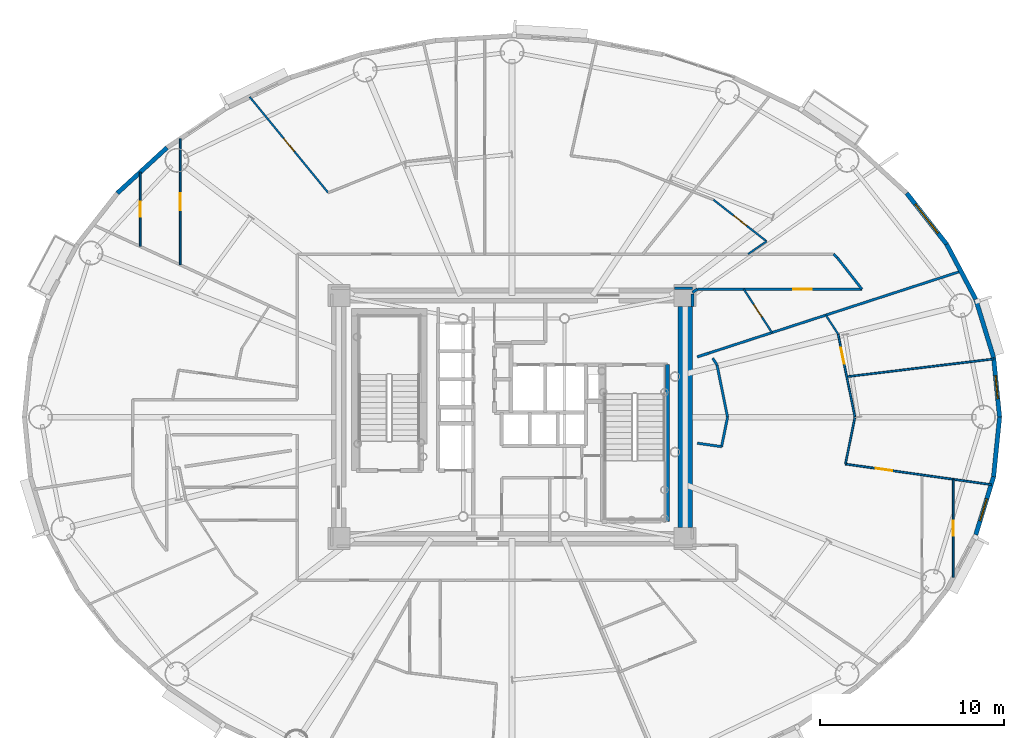
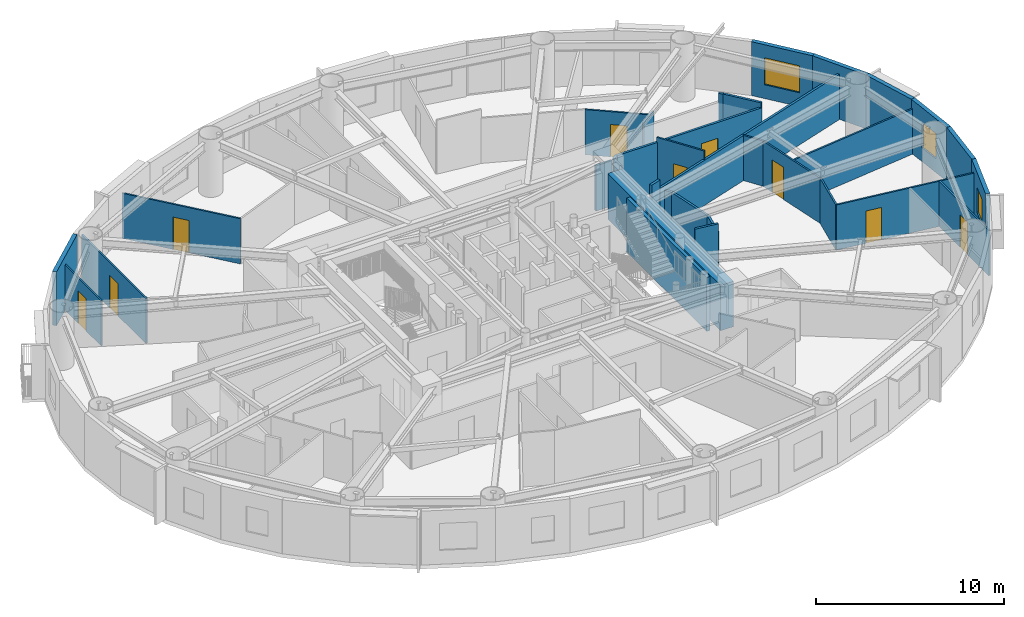
# One storey, part 13 of 21: 33 walls, 9 doors, 3 windows, 12 openings.
"""IFC4 building model written with IfcOpenShell, lengths in metres."""

import ifcopenshell
import ifcopenshell.guid

model = None  # the IFC model being written
_history = None  # IfcOwnerHistory: only IFC2X3 demands one
_inside = {}  # id of a spatial element -> (the spatial element, [elements in it])
_under = {}  # id of a project, library or spatial element -> (it, [spatial elements below it])
_declared = {}  # id of a project -> (the project, [libraries it declares])
_typed = {}  # id of a type object -> (the type object, [elements of that type])
_made_of = {}  # id of a material, layer set ... -> (it, [elements and type objects made of it])


def new_model(schema):
    """Start an empty IFC model of exactly this schema.

    Asked for "IFC4X3", IfcOpenShell would pick the latest addendum, in which some entities
    have other attributes; the version numbers below select the first issue.
    IFC2X3 requires an IfcOwnerHistory on every rooted entity: one is made here for all.
    """
    global model, _history
    if schema == "IFC4X3":
        model = ifcopenshell.file(schema_version=(4, 3, 0, 0))
    else:
        model = ifcopenshell.file(schema=schema)
    _inside.clear()
    _under.clear()
    _declared.clear()
    _typed.clear()
    _made_of.clear()
    _history = None
    if model.schema == "IFC2X3":
        org = make("IfcOrganization", Name="unknown")
        user = make(
            "IfcPersonAndOrganization",
            ThePerson=make("IfcPerson", FamilyName="unknown"),
            TheOrganization=org,
        )
        app = make(
            "IfcApplication",
            ApplicationDeveloper=org,
            Version="unknown",
            ApplicationFullName="unknown",
            ApplicationIdentifier="unknown",
        )
        _history = make(
            "IfcOwnerHistory",
            OwningUser=user,
            OwningApplication=app,
            ChangeAction="ADDED",
            CreationDate=0,
        )
    return model


def make(cls, **values):
    """One entity of the class cls with the attributes given. An attribute that is None is left unset."""
    return model.create_entity(
        cls, **{name: value for name, value in values.items() if value is not None}
    )


def rooted(cls, **values):
    """An entity with a GlobalId (a new one), such as an element, a storey or a relation."""
    return make(cls, GlobalId=ifcopenshell.guid.new(), OwnerHistory=_history, **values)


def si_unit(unit_type, name, prefix=None):
    """IfcSIUnit, for example si_unit("LENGTHUNIT", "METRE", prefix="MILLI")."""
    return make("IfcSIUnit", UnitType=unit_type, Prefix=prefix, Name=name)


def assignment(units):
    """IfcUnitAssignment: the units of a project."""
    return None if units is None else make("IfcUnitAssignment", Units=units)


def point(xyz):
    """IfcCartesianPoint."""
    return None if xyz is None else make("IfcCartesianPoint", Coordinates=xyz)


def direction(xyz):
    """IfcDirection."""
    return None if xyz is None else make("IfcDirection", DirectionRatios=xyz)


def frame(location, z_axis=None, x_axis=None):
    """IfcAxis2Placement3D, a coordinate frame: its origin and axes. An axis left out is left unset."""
    return make(
        "IfcAxis2Placement3D",
        Location=point(location),
        Axis=direction(z_axis),
        RefDirection=direction(x_axis),
    )


def frame_2d(location, x_axis=None):
    """IfcAxis2Placement2D, a coordinate frame in the plane: its origin and x axis."""
    return make(
        "IfcAxis2Placement2D", Location=point(location), RefDirection=direction(x_axis)
    )


def origin():
    """The frame at (0, 0, 0) with its axes left unset."""
    return frame((0.0, 0.0, 0.0))


def origin_2d():
    """The frame at (0, 0) in the plane with its x axis left unset."""
    return frame_2d((0.0, 0.0))


def place(relative_to, where):
    """IfcLocalPlacement: puts the frame where relative to a parent placement (None: the world)."""
    return make(
        "IfcLocalPlacement", PlacementRelTo=relative_to, RelativePlacement=where
    )


def context(
    kind, dimensions, precision=None, world=None, true_north=None, identifier=None
):
    """IfcGeometricRepresentationContext, for example the 3D "Model" context."""
    return make(
        "IfcGeometricRepresentationContext",
        ContextIdentifier=identifier,
        ContextType=kind,
        CoordinateSpaceDimension=dimensions,
        Precision=precision,
        WorldCoordinateSystem=world,
        TrueNorth=true_north,
    )


def subcontext(parent, identifier, kind, view, scale=None):
    """IfcGeometricRepresentationSubContext, for example "Body" below "Model"."""
    return make(
        "IfcGeometricRepresentationSubContext",
        ContextIdentifier=identifier,
        ContextType=kind,
        ParentContext=parent,
        TargetScale=scale,
        TargetView=view,
    )


def project(units=None, contexts=None):
    """IfcProject with its units and contexts."""
    return rooted(
        "IfcProject",
        Name="project",
        RepresentationContexts=contexts,
        UnitsInContext=assignment(units),
    )


def spatial(cls, under=None, at=None, **own):
    """A site, building, storey or space (cls), placed at a placement, below another one or the project."""
    s = rooted(cls, ObjectPlacement=at, **own)
    if under is not None:
        _under.setdefault(under.id(), (under, []))[1].append(s)
    return s


def profile(cls, at=None, kind="AREA", **sizes):
    """A parametric profile (cls). Its sizes go by their IFC names, for example OverallWidth=200.0."""
    return make(cls, ProfileType=kind, Position=at, **sizes)


def rectangle(**sizes):
    """IfcRectangleProfileDef."""
    return profile("IfcRectangleProfileDef", **sizes)


def extrude(swept, where, along, depth):
    """IfcExtrudedAreaSolid: the profile swept, set in the frame where, extruded along a direction by depth."""
    return make(
        "IfcExtrudedAreaSolid",
        SweptArea=swept,
        Position=where,
        ExtrudedDirection=direction(along),
        Depth=depth,
    )


def shape(context_of_items, identifier, shape_type, items):
    """IfcShapeRepresentation: the items that make up one representation, for example the "Body"."""
    return make(
        "IfcShapeRepresentation",
        ContextOfItems=context_of_items,
        RepresentationIdentifier=identifier,
        RepresentationType=shape_type,
        Items=items,
    )


def source(mapping_origin, context_of_items, identifier, shape_type, items):
    """IfcRepresentationMap: a shape defined once, which mapped items show again and again."""
    return make(
        "IfcRepresentationMap",
        MappingOrigin=mapping_origin,
        MappedRepresentation=shape(context_of_items, identifier, shape_type, items),
    )


def transform(
    local_origin,
    x_axis=None,
    y_axis=None,
    z_axis=None,
    scale=None,
    scale2=None,
    scale3=None,
    uniform=True,
):
    """IfcCartesianTransformationOperator3D, or its non-uniform kind. x_axis, y_axis, z_axis: its Axis1, 2, 3."""
    if uniform:
        return make(
            "IfcCartesianTransformationOperator3D",
            Axis1=direction(x_axis),
            Axis2=direction(y_axis),
            LocalOrigin=point(local_origin),
            Scale=scale,
            Axis3=direction(z_axis),
        )
    return make(
        "IfcCartesianTransformationOperator3DnonUniform",
        Axis1=direction(x_axis),
        Axis2=direction(y_axis),
        LocalOrigin=point(local_origin),
        Scale=scale,
        Axis3=direction(z_axis),
        Scale2=scale2,
        Scale3=scale3,
    )


def mapped(mapping_source, mapping_target):
    """IfcMappedItem: shows the shape of a source again, moved by a transform."""
    return make(
        "IfcMappedItem", MappingSource=mapping_source, MappingTarget=mapping_target
    )


def material(Name=None, Category=None):
    """IfcMaterial."""
    return make("IfcMaterial", Name=Name, Category=Category)


def layer(
    of_material, thickness, ventilated=None, Name=None, Category=None, Priority=None
):
    """IfcMaterialLayer: one layer of a wall or slab, of a material (None: an air gap)."""
    return make(
        "IfcMaterialLayer",
        Material=of_material,
        LayerThickness=thickness,
        IsVentilated=ventilated,
        Name=Name,
        Category=Category,
        Priority=Priority,
    )


def layer_set(layers, Name=None):
    """IfcMaterialLayerSet."""
    return make("IfcMaterialLayerSet", MaterialLayers=layers, LayerSetName=Name)


def made_of(thing, what):
    """Note that an element or type object is made of a material, layer set ...; save() writes the relation."""
    if what is not None:
        _made_of.setdefault(what.id(), (what, []))[1].append(thing)
    return thing


def type_object(cls, material=None, **own):
    """A type object (cls), such as IfcWallType, which elements share."""
    return made_of(rooted(cls, **own), material)


def element(
    cls,
    number,
    at=None,
    inside=None,
    cuts=None,
    type_object=None,
    material=None,
    context=None,
    identifier="Body",
    shape_type=None,
    held_by="IfcProductDefinitionShape",
    body=None,
    shapes=None,
    **own,
):
    """One element of the class cls, such as IfcWall. Its Tag is "e" and its number.

    at: its placement. inside: the storey or other place that contains it. cuts: it is an
    opening in that element (IfcRelVoidsElement). A single representation is given by context,
    identifier, shape_type and body (its items); several are given by shapes. held_by: the class
    of the entity that holds the representations. save() writes the other relations.
    """
    e = rooted(cls, Tag="e%d" % number, ObjectPlacement=at, **own)
    if body is not None:
        shapes = [shape(context, identifier, shape_type, body)]
    if shapes is not None:
        e.Representation = make(held_by, Representations=shapes)
    if inside is not None:
        _inside.setdefault(inside.id(), (inside, []))[1].append(e)
    if cuts is not None:
        rooted(
            "IfcRelVoidsElement", RelatingBuildingElement=cuts, RelatedOpeningElement=e
        )
    if type_object is not None:
        _typed.setdefault(type_object.id(), (type_object, []))[1].append(e)
    return made_of(e, material)


def fill(opening, filler):
    """IfcRelFillsElement: the door or window that sits in an opening."""
    return rooted(
        "IfcRelFillsElement",
        RelatingOpeningElement=opening,
        RelatedBuildingElement=filler,
    )


def aggregate(whole, parts):
    """IfcRelAggregates: a whole, such as a stair, and the parts it consists of."""
    return rooted("IfcRelAggregates", RelatingObject=whole, RelatedObjects=parts)


def save(model, path):
    """Write the relations noted so far, then the file.

    IfcRelAggregates (storeys below a building ...), IfcRelContainedInSpatialStructure (elements
    in a storey), IfcRelDefinesByType, IfcRelAssociatesMaterial and IfcRelDeclares: one each for
    every whole, place, type object, material and project.
    """
    for whole, parts in _under.values():
        aggregate(whole, parts)
    for where, things in _inside.values():
        rooted(
            "IfcRelContainedInSpatialStructure",
            RelatedElements=things,
            RelatingStructure=where,
        )
    for kind, things in _typed.values():
        rooted("IfcRelDefinesByType", RelatedObjects=things, RelatingType=kind)
    for what, things in _made_of.values():
        rooted("IfcRelAssociatesMaterial", RelatedObjects=things, RelatingMaterial=what)
    for by, libraries in _declared.values():
        rooted("IfcRelDeclares", RelatingContext=by, RelatedDefinitions=libraries)
    model.write(path)


model = new_model("IFC4")

# Units and contexts
model_context = context("Model", 3, precision=1e-05, world=origin(), true_north=direction((0.0, 1.0)))
body_context = subcontext(model_context, "Body", "Model", "MODEL_VIEW")
ifc_project = project(units=[si_unit("LENGTHUNIT", "METRE"), si_unit("AREAUNIT", "SQUARE_METRE"), si_unit("VOLUMEUNIT", "CUBIC_METRE"), si_unit("PLANEANGLEUNIT", "RADIAN"), si_unit("MASSUNIT", "GRAM", prefix="KILO")], contexts=[model_context])

# Site, building, storey
site_placement = place(None, origin())
site = spatial("IfcSite", under=ifc_project, at=site_placement, CompositionType="ELEMENT")
building_placement = place(site_placement, origin())
building = spatial("IfcBuilding", under=site, at=building_placement, Name="Linh Dai School and Residence Tower", CompositionType="ELEMENT")
storey_placement = place(building_placement, frame((0.0, 0.0, 156.14990234375)))
storey = spatial("IfcBuildingStorey", under=building, at=storey_placement, Name="L37", CompositionType="ELEMENT", Elevation=156.14990234375)

# Wall, opening, window
ifc_material_1 = material(Name="Precast Concrete B45 (C35/45)", Category="concrete")
ifc_layer_1 = layer(ifc_material_1, 0.239990234375)
ifc_layer_set_1 = layer_set([ifc_layer_1], Name="Precast Concrete B45 (C35/45)")
wall_type_1 = type_object("IfcWallType", Name="EW-TC-240", PredefinedType="SOLIDWALL", material=ifc_layer_set_1)
wall_1_placement = place(storey_placement, frame((62.14990234375, 30.233642578125, 0.0), z_axis=(0.0, 0.0, 1.0), x_axis=(0.100061534614, -0.994981250723, 0.0)))
wall_1 = element("IfcWall", 1, at=wall_1_placement, inside=storey, type_object=wall_type_1, Name="L37 Terracotta Exterior Wall 01", PredefinedType="SOLIDWALL", context=body_context, shape_type="SweptSolid", body=[
    extrude(rectangle(XDim=3.25, YDim=0.239990234375, at=frame_2d((1.625, 0.0))), origin(), (0.0, 0.0, 1.0), 3.5),
])
opening_1_placement = place(wall_1_placement, frame((1.0, 0.0, 0.89990234375)))
opening_1 = element("IfcOpeningElement", 2, at=opening_1_placement, cuts=wall_1, Name="Opening W3", PredefinedType="OPENING", context=body_context, shape_type="SweptSolid", body=[
    extrude(rectangle(XDim=1.25, YDim=1.64990234375, at=origin_2d()), frame((0.625, 0.1298828125, 0.824951171875), z_axis=(0.0, -1.0, 0.0), x_axis=(1.0, 0.0, 0.0)), (0.0, 0.0, 1.0), 0.260009765625),
])
ifc_material_2 = material(Name="Double Low-E Insulated Glazing", Category="glass")
window_type_1 = type_object("IfcWindowType", Name="WN-RES-1250x1650", PartitioningType="SINGLE_PANEL", PredefinedType="WINDOW", material=ifc_material_2)
shared_shape_1 = source(origin(), body_context, "Body", "SweptSolid", [
    extrude(rectangle(XDim=1.25, YDim=1.64990234375, at=origin_2d()), frame((0.625, 0.030029296875, 0.824951171875), z_axis=(0.0, -1.0, 0.0), x_axis=(1.0, 0.0, 0.0)), (0.0, 0.0, 1.0), 0.06005859375),
])
window_1_placement = place(opening_1_placement, origin())
window_1 = element("IfcWindow", 3, at=window_1_placement, inside=storey, type_object=window_type_1, Name="L37 Dwelling Window U3708-BD1", OverallHeight=1.64990234375, OverallWidth=1.25, PartitioningType="SINGLE_PANEL", PredefinedType="WINDOW", context=body_context, shape_type="MappedRepresentation", body=[
    mapped(shared_shape_1, transform((0.0, 0.0, 0.0), x_axis=(1.0, 0.0, 0.0), y_axis=(0.0, 1.0, 0.0), z_axis=(0.0, 0.0, 1.0), scale=1.0)),
])
fill(opening_1, window_1)

# Walls
wall_2_placement = place(storey_placement, frame((61.1826171875, 33.388916015625, 0.0), z_axis=(0.0, 0.0, 1.0), x_axis=(0.293097995113, -0.956082405058, 0.0)))
element("IfcWall", 4, at=wall_2_placement, inside=storey, type_object=wall_type_1, Name="L37 Terracotta Exterior Wall 02", PredefinedType="SOLIDWALL", context=body_context, shape_type="SweptSolid", body=[
    extrude(rectangle(XDim=3.30029296875, YDim=0.239990234375, at=frame_2d((1.650146484375, 0.0))), origin(), (0.0, 0.0, 1.0), 3.5),
])
wall_3_placement = place(storey_placement, frame((59.595947265625, 36.388427734375, 0.0), z_axis=(0.0, 0.0, 1.0), x_axis=(0.467586874938, -0.88394712194, 0.0)))
element("IfcWall", 5, at=wall_3_placement, inside=storey, type_object=wall_type_1, Name="L37 Terracotta Exterior Wall 03", PredefinedType="SOLIDWALL", context=body_context, shape_type="SweptSolid", body=[
    extrude(rectangle(XDim=3.393310546875, YDim=0.239990234375, at=frame_2d((1.69677734375, 0.0))), origin(), (0.0, 0.0, 1.0), 3.5),
])

# Wall, opening, window
wall_4_placement = place(storey_placement, frame((57.42822265625, 39.158447265625, 0.0), z_axis=(0.0, 0.0, 1.0), x_axis=(0.616287674549, -0.787521112224, 0.0)))
wall_4 = element("IfcWall", 6, at=wall_4_placement, inside=storey, type_object=wall_type_1, Name="L37 Terracotta Exterior Wall 04", PredefinedType="SOLIDWALL", context=body_context, shape_type="SweptSolid", body=[
    extrude(rectangle(XDim=3.517333984375, YDim=0.239990234375, at=frame_2d((1.7587890625, 0.0))), origin(), (0.0, 0.0, 1.0), 3.5),
])
opening_2_placement = place(wall_4_placement, frame((0.758544921875, 0.0, 0.89990234375)))
opening_2 = element("IfcOpeningElement", 7, at=opening_2_placement, cuts=wall_4, Name="Opening W1", PredefinedType="OPENING", context=body_context, shape_type="SweptSolid", body=[
    extrude(rectangle(XDim=2.0, YDim=1.75, at=origin_2d()), frame((1.0, 0.1298828125, 0.875), z_axis=(0.0, -1.0, 0.0), x_axis=(1.0, 0.0, 0.0)), (0.0, 0.0, 1.0), 0.260009765625),
])
window_type_2 = type_object("IfcWindowType", Name="WN-RES-2000x1750", PartitioningType="DOUBLE_PANEL_VERTICAL", PredefinedType="WINDOW", material=ifc_material_2)
shared_shape_2 = source(origin(), body_context, "Body", "SweptSolid", [
    extrude(rectangle(XDim=2.0, YDim=1.75, at=origin_2d()), frame((1.0, 0.030029296875, 0.875), z_axis=(0.0, -1.0, 0.0), x_axis=(1.0, 0.0, 0.0)), (0.0, 0.0, 1.0), 0.06005859375),
])
window_2_placement = place(opening_2_placement, origin())
window_2 = element("IfcWindow", 8, at=window_2_placement, inside=storey, type_object=window_type_2, Name="L37 Exterior Window 04.1", OverallHeight=1.75, OverallWidth=2.0, PartitioningType="DOUBLE_PANEL_VERTICAL", PredefinedType="WINDOW", context=body_context, shape_type="MappedRepresentation", body=[
    mapped(shared_shape_2, transform((0.0, 0.0, 0.0), x_axis=(1.0, 0.0, 0.0), y_axis=(0.0, 1.0, 0.0), z_axis=(0.0, 0.0, 1.0), scale=1.0)),
])
fill(opening_2, window_2)

# Wall
wall_5_placement = place(storey_placement, frame((14.57177734375, 39.158447265625, 0.0), z_axis=(0.0, 0.0, 1.0), x_axis=(0.737076565834, 0.675809245349, 0.0)))
element("IfcWall", 9, at=wall_5_placement, inside=storey, type_object=wall_type_1, Name="L37 Terracotta Exterior Wall 16", PredefinedType="SOLIDWALL", context=body_context, shape_type="SweptSolid", body=[
    extrude(rectangle(XDim=3.658203125, YDim=0.239990234375, at=frame_2d((1.8291015625, 0.0))), origin(), (0.0, 0.0, 1.0), 3.5),
])

# Wall, opening, window
wall_6_placement = place(storey_placement, frame((62.14990234375, 23.766357421875, 0.0), z_axis=(0.0, 0.0, 1.0), x_axis=(-0.293097995113, -0.956082405058, 0.0)))
wall_6 = element("IfcWall", 10, at=wall_6_placement, inside=storey, type_object=wall_type_1, Name="L37 Terracotta Exterior Wall 39", PredefinedType="SOLIDWALL", context=body_context, shape_type="SweptSolid", body=[
    extrude(rectangle(XDim=3.30029296875, YDim=0.239990234375, at=frame_2d((1.650146484375, 0.0))), origin(), (0.0, 0.0, 1.0), 3.5),
])
opening_3_placement = place(wall_6_placement, frame((1.255859375, 0.0, 0.89990234375)))
opening_3 = element("IfcOpeningElement", 11, at=opening_3_placement, cuts=wall_6, Name="Opening W3", PredefinedType="OPENING", context=body_context, shape_type="SweptSolid", body=[
    extrude(rectangle(XDim=1.25, YDim=1.64990234375, at=origin_2d()), frame((0.625, 0.1298828125, 0.824951171875), z_axis=(0.0, -1.0, 0.0), x_axis=(1.0, 0.0, 0.0)), (0.0, 0.0, 1.0), 0.260009765625),
])
window_3_placement = place(opening_3_placement, origin())
window_3 = element("IfcWindow", 12, at=window_3_placement, inside=storey, type_object=window_type_1, Name="L37 Exterior Window 39.1", OverallHeight=1.64990234375, OverallWidth=1.25, PartitioningType="SINGLE_PANEL", PredefinedType="WINDOW", context=body_context, shape_type="MappedRepresentation", body=[
    mapped(shared_shape_1, transform((0.0, 0.0, 0.0), x_axis=(1.0, 0.0, 0.0), y_axis=(0.0, 1.0, 0.0), z_axis=(0.0, 0.0, 1.0), scale=1.0)),
])
fill(opening_3, window_3)

# Wall
wall_7_placement = place(storey_placement, frame((62.47509765625, 27.0, 0.0), z_axis=(0.0, 0.0, 1.0), x_axis=(-0.100061534614, -0.994981250723, 0.0)))
element("IfcWall", 13, at=wall_7_placement, inside=storey, type_object=wall_type_1, Name="L37 Terracotta Exterior Wall 40", PredefinedType="SOLIDWALL", context=body_context, shape_type="SweptSolid", body=[
    extrude(rectangle(XDim=3.25, YDim=0.239990234375, at=frame_2d((1.625, 0.0))), origin(), (0.0, 0.0, 1.0), 3.5),
])

# Wall, opening, door
ifc_material_3 = material(Name="Autoclaved Aerated Concrete Blockwork", Category="masonry")
ifc_layer_2 = layer(ifc_material_3, 0.135009765625)
ifc_layer_set_2 = layer_set([ifc_layer_2], Name="Autoclaved Aerated Concrete Blockwork")
wall_type_2 = type_object("IfcWallType", Name="IW-CORR-135-EI90", PredefinedType="PARTITIONING", material=ifc_layer_set_2)
wall_8_placement = place(storey_placement, frame((46.064697265625, 33.949951171875, 0.0), z_axis=(0.0, 0.0, 1.0), x_axis=(1.0, 0.0, 0.0)))
wall_8 = element("IfcWall", 14, at=wall_8_placement, inside=storey, type_object=wall_type_2, Name="L37 Interior Partition Wall 082", PredefinedType="PARTITIONING", context=body_context, shape_type="SweptSolid", body=[
    extrude(rectangle(XDim=8.932373046875, YDim=0.135009765625, at=frame_2d((4.46630859375, 0.0))), origin(), (0.0, 0.0, 1.0), 3.18505859375),
])
opening_4_placement = place(wall_8_placement, frame((5.203857421875, 0.0, 0.0)))
opening_4 = element("IfcOpeningElement", 15, at=opening_4_placement, cuts=wall_8, Name="Opening D03", PredefinedType="OPENING", context=body_context, shape_type="SweptSolid", body=[
    extrude(rectangle(XDim=1.0, YDim=2.14990234375, at=origin_2d()), frame((0.5, 0.07763671875, 1.074951171875), z_axis=(0.0, -1.0, 0.0), x_axis=(1.0, 0.0, 0.0)), (0.0, 0.0, 1.0), 0.155029296875),
])
ifc_material_4 = material(Name="Fire-Rated Solid Timber Entrance Door", Category="wood")
door_type_1 = type_object("IfcDoorType", Name="DR-FLAT-1000x2150-FD60S", OperationType="NOTDEFINED", PredefinedType="DOOR", material=ifc_material_4)
shared_shape_3 = source(origin(), body_context, "Body", "SweptSolid", [
    extrude(rectangle(XDim=1.0, YDim=2.14990234375, at=origin_2d()), frame((0.5, 0.02490234375, 1.074951171875), z_axis=(0.0, -1.0, 0.0), x_axis=(1.0, 0.0, 0.0)), (0.0, 0.0, 1.0), 0.050048828125),
])
door_1_placement = place(opening_4_placement, origin())
door_1 = element("IfcDoor", 16, at=door_1_placement, inside=storey, type_object=door_type_1, Name="L37 U3701 Apartment Entrance Door", OperationType="SINGLE_SWING_LEFT", OverallHeight=2.14990234375, OverallWidth=1.0, PredefinedType="DOOR", context=body_context, shape_type="MappedRepresentation", body=[
    mapped(shared_shape_3, transform((0.0, 0.0, 0.0), x_axis=(1.0, 0.0, 0.0), y_axis=(0.0, 1.0, 0.0), z_axis=(0.0, 0.0, 1.0), scale=1.0)),
])
fill(opening_4, door_1)

# Walls
wall_9_placement = place(storey_placement, frame((46.709716796875, 30.479736328125, 0.0), z_axis=(0.0, 0.0, 1.0), x_axis=(0.951054665008, 0.309022691992, 0.0)))
element("IfcWall", 17, at=wall_9_placement, inside=storey, type_object=wall_type_2, Name="L37 Interior Partition Wall 084", PredefinedType="PARTITIONING", context=body_context, shape_type="SweptSolid", body=[
    extrude(rectangle(XDim=14.37158203125, YDim=0.135009765625, at=frame_2d((7.185791015625, 0.0))), origin(), (0.0, 0.0, 1.0), 2.93505859375),
])
wall_10_placement = place(storey_placement, frame((53.453857421875, 35.85009765625, 0.0), z_axis=(0.0, 0.0, 1.0), x_axis=(0.736667385572, -0.676255249913, 0.0)))
element("IfcWall", 18, at=wall_10_placement, inside=storey, type_object=wall_type_2, Name="L37 Interior Partition Wall 091", PredefinedType="PARTITIONING", context=body_context, shape_type="SweptSolid", body=[
    extrude(rectangle(XDim=0.270751953125, YDim=0.135009765625, at=frame_2d((0.13525390625, 0.0))), origin(), (0.0, 0.0, 1.0), 3.5),
])
wall_11_placement = place(storey_placement, frame((53.6533203125, 35.6669921875, 0.0), z_axis=(0.0, 0.0, 1.0), x_axis=(0.616302223209, -0.787509726713, 0.0)))
element("IfcWall", 19, at=wall_11_placement, inside=storey, type_object=wall_type_2, Name="L37 Interior Partition Wall 092", PredefinedType="PARTITIONING", context=body_context, shape_type="SweptSolid", body=[
    extrude(rectangle(XDim=2.180419921875, YDim=0.135009765625, at=frame_2d((1.09033203125, 0.0))), origin(), (0.0, 0.0, 1.0), 3.5),
])
wall_12_placement = place(storey_placement, frame((45.800048828125, 34.0, 0.0), z_axis=(0.0, 0.0, 1.0), x_axis=(-1.0, 0.0, 0.0)))
element("IfcWall", 20, at=wall_12_placement, inside=storey, type_object=wall_type_2, Name="L37 Interior Partition Wall 105", PredefinedType="PARTITIONING", context=body_context, shape_type="SweptSolid", body=[
    extrude(rectangle(XDim=0.989990234375, YDim=0.135009765625, at=frame_2d((0.4951171875, 0.0))), origin(), (0.0, 0.0, 1.0), 2.93505859375),
])
wall_13_placement = place(storey_placement, frame((46.06005859375, 25.581787109375, 0.0), z_axis=(0.0, 0.0, 1.0), x_axis=(0.990207965895, -0.139600086959, 0.0)))
element("IfcWall", 21, at=wall_13_placement, inside=storey, type_object=wall_type_2, Name="L37 Interior Partition Wall 121", PredefinedType="PARTITIONING", context=body_context, shape_type="SweptSolid", body=[
    extrude(rectangle(XDim=1.33251953125, YDim=0.135009765625, at=frame_2d((0.666259765625, 0.0))), origin(), (0.0, 0.0, 1.0), 3.5),
])
wall_14_placement = place(storey_placement, frame((47.379638671875, 25.39599609375, 0.0), z_axis=(0.0, 0.0, 1.0), x_axis=(0.19826737525, 0.980147972457, 0.0)))
element("IfcWall", 22, at=wall_14_placement, inside=storey, type_object=wall_type_2, Name="L37 Interior Partition Wall 122", PredefinedType="PARTITIONING", context=body_context, shape_type="SweptSolid", body=[
    extrude(rectangle(XDim=1.636474609375, YDim=0.135009765625, at=frame_2d((0.818359375, 0.0))), origin(), (0.0, 0.0, 1.0), 2.93505859375),
])
wall_15_placement = place(storey_placement, frame((47.7041015625, 27.0, 0.0), z_axis=(0.0, 0.0, 1.0), x_axis=(-0.198292837027, 0.980142821625, 0.0)))
element("IfcWall", 23, at=wall_15_placement, inside=storey, type_object=wall_type_2, Name="L37 Interior Partition Wall 123", PredefinedType="PARTITIONING", context=body_context, shape_type="SweptSolid", body=[
    extrude(rectangle(XDim=2.8896484375, YDim=0.135009765625, at=frame_2d((1.44482421875, 0.0))), origin(), (0.0, 0.0, 1.0), 2.93505859375),
])
wall_16_placement = place(storey_placement, frame((47.131103515625, 29.832275390625, 0.0), z_axis=(0.0, 0.0, 1.0), x_axis=(-0.545305123916, 0.838237628499, 0.0)))
element("IfcWall", 24, at=wall_16_placement, inside=storey, type_object=wall_type_2, Name="L37 Interior Partition Wall 124", PredefinedType="PARTITIONING", context=body_context, shape_type="SweptSolid", body=[
    extrude(rectangle(XDim=0.433349609375, YDim=0.135009765625, at=frame_2d((0.216796875, 0.0))), origin(), (0.0, 0.0, 1.0), 2.93505859375),
])
ifc_layer_3 = layer(ifc_material_3, 0.14990234375)
ifc_layer_set_3 = layer_set([ifc_layer_3], Name="Autoclaved Aerated Concrete Blockwork")
wall_type_3 = type_object("IfcWallType", Name="IW-SCH-150-EI60", PredefinedType="PARTITIONING", material=ifc_layer_set_3)
wall_17_placement = place(storey_placement, frame((45.800048828125, 33.010009765625, 0.0), z_axis=(0.0, 0.0, 1.0), x_axis=(0.0, 1.0, 0.0)))
element("IfcWall", 25, at=wall_17_placement, inside=storey, type_object=wall_type_3, Name="L37 Interior Partition Wall 115", PredefinedType="PARTITIONING", context=body_context, shape_type="SweptSolid", body=[
    extrude(rectangle(XDim=0.682373046875, YDim=0.14990234375, at=frame_2d((0.34130859375, 0.0))), origin(), (0.0, 0.0, 1.0), 3.18505859375),
])
wall_18_placement = place(storey_placement, frame((45.800048828125, 33.767333984375, 0.0), z_axis=(0.0, 0.0, 1.0), x_axis=(0.823065918238, 0.56794585502, 0.0)))
element("IfcWall", 26, at=wall_18_placement, inside=storey, type_object=wall_type_3, Name="L37 Interior Partition Wall 116", PredefinedType="PARTITIONING", context=body_context, shape_type="SweptSolid", body=[
    extrude(rectangle(XDim=0.321533203125, YDim=0.14990234375, at=frame_2d((0.16064453125, 0.0))), origin(), (0.0, 0.0, 1.0), 3.18505859375),
])
wall_19_placement = place(storey_placement, frame((46.7001953125, 30.476806640625, 0.0), z_axis=(0.0, 0.0, 1.0), x_axis=(-0.951050060735, -0.309036861841, 0.0)))
element("IfcWall", 27, at=wall_19_placement, inside=storey, type_object=wall_type_3, Name="L37 Interior Partition Wall 117", PredefinedType="PARTITIONING", context=body_context, shape_type="SweptSolid", body=[
    extrude(rectangle(XDim=0.673095703125, YDim=0.14990234375, at=frame_2d((0.33642578125, 0.0))), origin(), (0.0, 0.0, 1.0), 3.5),
])
ifc_material_5 = material(Name="Concrete B45 (C35/45)", Category="concrete")
ifc_layer_4 = layer(ifc_material_5, 0.199951171875)
ifc_layer_set_4 = layer_set([ifc_layer_4], Name="Concrete B45 (C35/45)")
wall_type_4 = type_object("IfcWallType", Name="IW-SHAFT-200-EI120", PredefinedType="PARTITIONING", material=ifc_layer_set_4)
wall_20_placement = place(storey_placement, frame((44.43994140625, 21.330078125, 0.0), z_axis=(0.0, 0.0, 1.0), x_axis=(0.0, 1.0, 0.0)))
element("IfcWall", 28, at=wall_20_placement, inside=storey, type_object=wall_type_4, Name="L37 Interior Partition Wall 081", PredefinedType="PARTITIONING", context=body_context, shape_type="SweptSolid", body=[
    extrude(rectangle(XDim=8.52001953125, YDim=0.199951171875, at=frame_2d((4.260009765625, 0.0))), origin(), (0.0, 0.0, 1.0), 3.5),
])

# Wall, opening, door
ifc_material_6 = material(Name="Gypsum Plasterboard Acoustic Stud Partition", Category="masonry")
ifc_layer_5 = layer(ifc_material_6, 0.10009765625)
ifc_layer_set_5 = layer_set([ifc_layer_5], Name="Gypsum Plasterboard Acoustic Stud Partition")
wall_type_5 = type_object("IfcWallType", Name="IW-UNIT-100", PredefinedType="PARTITIONING", material=ifc_layer_set_5)
wall_21_placement = place(storey_placement, frame((15.81494140625, 36.262939453125, 0.0), z_axis=(0.0, 0.0, 1.0), x_axis=(0.0, 1.0, 0.0)))
wall_21 = element("IfcWall", 29, at=wall_21_placement, inside=storey, type_object=wall_type_5, Name="L37 Interior Partition Wall 008", PredefinedType="PARTITIONING", context=body_context, shape_type="SweptSolid", body=[
    extrude(rectangle(XDim=4.0419921875, YDim=0.10009765625, at=frame_2d((2.02099609375, 0.0))), origin(), (0.0, 0.0, 1.0), 2.93505859375),
])
opening_5_placement = place(wall_21_placement, frame((1.611083984375, 0.0, 0.0)))
opening_5 = element("IfcOpeningElement", 30, at=opening_5_placement, cuts=wall_21, Name="Opening D06", PredefinedType="OPENING", context=body_context, shape_type="SweptSolid", body=[
    extrude(rectangle(XDim=0.820068359375, YDim=2.10009765625, at=origin_2d()), frame((0.41015625, 0.06005859375, 1.050048828125), z_axis=(0.0, -1.0, 0.0), x_axis=(1.0, 0.0, 0.0)), (0.0, 0.0, 1.0), 0.1201171875),
])
ifc_material_7 = material(Name="Moisture-Resistant Timber Bathroom Door", Category="wood")
door_type_2 = type_object("IfcDoorType", Name="DR-WET-820x2100", OperationType="NOTDEFINED", PredefinedType="DOOR", material=ifc_material_7)
shared_shape_4 = source(origin(), body_context, "Body", "SweptSolid", [
    extrude(rectangle(XDim=0.820068359375, YDim=2.10009765625, at=origin_2d()), frame((0.41015625, 0.02490234375, 1.050048828125), z_axis=(0.0, -1.0, 0.0), x_axis=(1.0, 0.0, 0.0)), (0.0, 0.0, 1.0), 0.050048828125),
])
door_2_placement = place(opening_5_placement, origin())
door_2 = element("IfcDoor", 31, at=door_2_placement, inside=storey, type_object=door_type_2, Name="L37 Apartment U3703 Bathroom 1 Door", OperationType="SINGLE_SWING_LEFT", OverallHeight=2.10009765625, OverallWidth=0.820068359375, PredefinedType="DOOR", context=body_context, shape_type="MappedRepresentation", body=[
    mapped(shared_shape_4, transform((0.0, 0.0, 0.0), x_axis=(1.0, 0.0, 0.0), y_axis=(0.0, 1.0, 0.0), z_axis=(0.0, 0.0, 1.0), scale=1.0)),
])
fill(opening_5, door_2)

wall_22_placement = place(storey_placement, frame((17.984375, 35.267333984375, 0.0), z_axis=(0.0, 0.0, 1.0), x_axis=(0.0, 1.0, 0.0)))
wall_22 = element("IfcWall", 32, at=wall_22_placement, inside=storey, type_object=wall_type_5, Name="L37 Interior Partition Wall 015", PredefinedType="PARTITIONING", context=body_context, shape_type="SweptSolid", body=[
    extrude(rectangle(XDim=6.848388671875, YDim=0.10009765625, at=frame_2d((3.42431640625, 0.0))), origin(), (0.0, 0.0, 1.0), 2.93505859375),
])
opening_6_placement = place(wall_22_placement, frame((2.97412109375, 0.0, 0.0)))
opening_6 = element("IfcOpeningElement", 33, at=opening_6_placement, cuts=wall_22, Name="Opening D05", PredefinedType="OPENING", context=body_context, shape_type="SweptSolid", body=[
    extrude(rectangle(XDim=0.89990234375, YDim=2.10009765625, at=origin_2d()), frame((0.449951171875, 0.06005859375, 1.050048828125), z_axis=(0.0, -1.0, 0.0), x_axis=(1.0, 0.0, 0.0)), (0.0, 0.0, 1.0), 0.1201171875),
])
ifc_material_8 = material(Name="Engineered Timber Internal Door", Category="wood")
door_type_3 = type_object("IfcDoorType", Name="DR-INT-900x2100", OperationType="NOTDEFINED", PredefinedType="DOOR", material=ifc_material_8)
shared_shape_5 = source(origin(), body_context, "Body", "SweptSolid", [
    extrude(rectangle(XDim=0.89990234375, YDim=2.10009765625, at=origin_2d()), frame((0.449951171875, 0.02490234375, 1.050048828125), z_axis=(0.0, -1.0, 0.0), x_axis=(1.0, 0.0, 0.0)), (0.0, 0.0, 1.0), 0.050048828125),
])
door_3_placement = place(opening_6_placement, origin())
door_3 = element("IfcDoor", 34, at=door_3_placement, inside=storey, type_object=door_type_3, Name="L37 Apartment U3703 Kitchen Door", OperationType="SINGLE_SWING_RIGHT", OverallHeight=2.10009765625, OverallWidth=0.89990234375, PredefinedType="DOOR", context=body_context, shape_type="MappedRepresentation", body=[
    mapped(shared_shape_5, transform((0.0, 0.0, 0.0), x_axis=(1.0, 0.0, 0.0), y_axis=(0.0, 1.0, 0.0), z_axis=(0.0, 0.0, 1.0), scale=1.0)),
])
fill(opening_6, door_3)

wall_23_placement = place(storey_placement, frame((21.75634765625, 44.38671875, 0.0), z_axis=(0.0, 0.0, 1.0), x_axis=(0.633727642201, -0.773556252325, 0.0)))
wall_23 = element("IfcWall", 35, at=wall_23_placement, inside=storey, type_object=wall_type_5, Name="L37 Interior Partition Wall 022", PredefinedType="PARTITIONING", context=body_context, shape_type="SweptSolid", body=[
    extrude(rectangle(XDim=6.72900390625, YDim=0.10009765625, at=frame_2d((3.364501953125, 0.0))), origin(), (0.0, 0.0, 1.0), 2.93505859375),
])
opening_7_placement = place(wall_23_placement, frame((2.91455078125, 0.0, 0.0)))
opening_7 = element("IfcOpeningElement", 36, at=opening_7_placement, cuts=wall_23, Name="Opening D05", PredefinedType="OPENING", context=body_context, shape_type="SweptSolid", body=[
    extrude(rectangle(XDim=0.89990234375, YDim=2.10009765625, at=origin_2d()), frame((0.449951171875, 0.06005859375, 1.050048828125), z_axis=(0.0, -1.0, 0.0), x_axis=(1.0, 0.0, 0.0)), (0.0, 0.0, 1.0), 0.1201171875),
])
door_4_placement = place(opening_7_placement, origin())
door_4 = element("IfcDoor", 37, at=door_4_placement, inside=storey, type_object=door_type_3, Name="L37 Apartment U3703 Principal Bedroom 1 Door", OperationType="SINGLE_SWING_LEFT", OverallHeight=2.10009765625, OverallWidth=0.89990234375, PredefinedType="DOOR", context=body_context, shape_type="MappedRepresentation", body=[
    mapped(shared_shape_5, transform((0.0, 0.0, 0.0), x_axis=(1.0, 0.0, 0.0), y_axis=(0.0, 1.0, 0.0), z_axis=(0.0, 0.0, 1.0), scale=1.0)),
])
fill(opening_7, door_4)

wall_24_placement = place(storey_placement, frame((46.944580078125, 38.79638671875, 0.0), z_axis=(0.0, 0.0, 1.0), x_axis=(0.787307530322, -0.616560502058, 0.0)))
wall_24 = element("IfcWall", 38, at=wall_24_placement, inside=storey, type_object=wall_type_5, Name="L37 Interior Partition Wall 085", PredefinedType="PARTITIONING", context=body_context, shape_type="SweptSolid", body=[
    extrude(rectangle(XDim=3.6533203125, YDim=0.10009765625, at=frame_2d((1.82666015625, 0.0))), origin(), (0.0, 0.0, 1.0), 2.93505859375),
])
opening_8_placement = place(wall_24_placement, frame((1.376708984375, 0.0, 0.0)))
opening_8 = element("IfcOpeningElement", 39, at=opening_8_placement, cuts=wall_24, Name="Opening D05", PredefinedType="OPENING", context=body_context, shape_type="SweptSolid", body=[
    extrude(rectangle(XDim=0.89990234375, YDim=2.10009765625, at=origin_2d()), frame((0.449951171875, 0.06005859375, 1.050048828125), z_axis=(0.0, -1.0, 0.0), x_axis=(1.0, 0.0, 0.0)), (0.0, 0.0, 1.0), 0.1201171875),
])
door_5_placement = place(opening_8_placement, origin())
door_5 = element("IfcDoor", 40, at=door_5_placement, inside=storey, type_object=door_type_3, Name="L37 Apartment U3701 Kitchen Door", OperationType="SINGLE_SWING_LEFT", OverallHeight=2.10009765625, OverallWidth=0.89990234375, PredefinedType="DOOR", context=body_context, shape_type="MappedRepresentation", body=[
    mapped(shared_shape_5, transform((0.0, 0.0, 0.0), x_axis=(1.0, 0.0, 0.0), y_axis=(0.0, 1.0, 0.0), z_axis=(0.0, 0.0, 1.0), scale=1.0)),
])
fill(opening_8, door_5)

wall_25_placement = place(storey_placement, frame((48.579833984375, 33.949951171875, 0.0), z_axis=(0.0, 0.0, 1.0), x_axis=(0.545393120499, -0.838180376836, 0.0)))
wall_25 = element("IfcWall", 41, at=wall_25_placement, inside=storey, type_object=wall_type_5, Name="L37 Interior Partition Wall 088", PredefinedType="PARTITIONING", context=body_context, shape_type="SweptSolid", body=[
    extrude(rectangle(XDim=2.8193359375, YDim=0.10009765625, at=frame_2d((1.40966796875, 0.0))), origin(), (0.0, 0.0, 1.0), 3.5),
])
opening_9_placement = place(wall_25_placement, frame((0.99951171875, 0.0, 0.0)))
opening_9 = element("IfcOpeningElement", 42, at=opening_9_placement, cuts=wall_25, Name="Opening D06", PredefinedType="OPENING", context=body_context, shape_type="SweptSolid", body=[
    extrude(rectangle(XDim=0.820068359375, YDim=2.10009765625, at=origin_2d()), frame((0.41015625, 0.06005859375, 1.050048828125), z_axis=(0.0, -1.0, 0.0), x_axis=(1.0, 0.0, 0.0)), (0.0, 0.0, 1.0), 0.1201171875),
])
door_6_placement = place(opening_9_placement, origin())
door_6 = element("IfcDoor", 43, at=door_6_placement, inside=storey, type_object=door_type_2, Name="L37 Apartment U3701 Bathroom Door", OperationType="SINGLE_SWING_RIGHT", OverallHeight=2.10009765625, OverallWidth=0.820068359375, PredefinedType="DOOR", context=body_context, shape_type="MappedRepresentation", body=[
    mapped(shared_shape_4, transform((0.0, 0.0, 0.0), x_axis=(1.0, 0.0, 0.0), y_axis=(0.0, 1.0, 0.0), z_axis=(0.0, 0.0, 1.0), scale=1.0)),
])
fill(opening_9, door_6)

# Walls
wall_26_placement = place(storey_placement, frame((48.816162109375, 35.85009765625, 0.0), z_axis=(0.0, 0.0, 1.0), x_axis=(0.822832340307, 0.568284206841, 0.0)))
element("IfcWall", 44, at=wall_26_placement, inside=storey, type_object=wall_type_5, Name="L37 Interior Partition Wall 089", PredefinedType="PARTITIONING", context=body_context, shape_type="SweptSolid", body=[
    extrude(rectangle(XDim=1.220947265625, YDim=0.10009765625, at=frame_2d((0.6103515625, 0.0))), origin(), (0.0, 0.0, 1.0), 3.18505859375),
])
wall_27_placement = place(storey_placement, frame((53.038330078125, 32.5361328125, 0.0), z_axis=(0.0, 0.0, 1.0), x_axis=(0.545407162254, -0.83817123988, 0.0)))
element("IfcWall", 45, at=wall_27_placement, inside=storey, type_object=wall_type_5, Name="L37 Interior Partition Wall 090", PredefinedType="PARTITIONING", context=body_context, shape_type="SweptSolid", body=[
    extrude(rectangle(XDim=1.229248046875, YDim=0.10009765625, at=frame_2d((0.61474609375, 0.0))), origin(), (0.0, 0.0, 1.0), 2.93505859375),
])

# Wall, opening, door
wall_28_placement = place(storey_placement, frame((53.708740234375, 31.505859375, 0.0), z_axis=(0.0, 0.0, 1.0), x_axis=(0.198209478932, -0.980159682124, 0.0)))
wall_28 = element("IfcWall", 46, at=wall_28_placement, inside=storey, type_object=wall_type_5, Name="L37 Interior Partition Wall 093", PredefinedType="PARTITIONING", context=body_context, shape_type="SweptSolid", body=[
    extrude(rectangle(XDim=4.596923828125, YDim=0.10009765625, at=frame_2d((2.29833984375, 0.0))), origin(), (0.0, 0.0, 1.0), 2.93505859375),
])
opening_10_placement = place(wall_28_placement, frame((0.75, 0.0, 0.0)))
opening_10 = element("IfcOpeningElement", 47, at=opening_10_placement, cuts=wall_28, Name="Opening D05", PredefinedType="OPENING", context=body_context, shape_type="SweptSolid", body=[
    extrude(rectangle(XDim=0.89990234375, YDim=2.10009765625, at=origin_2d()), frame((0.449951171875, 0.06005859375, 1.050048828125), z_axis=(0.0, -1.0, 0.0), x_axis=(1.0, 0.0, 0.0)), (0.0, 0.0, 1.0), 0.1201171875),
])
door_7_placement = place(opening_10_placement, origin())
door_7 = element("IfcDoor", 48, at=door_7_placement, inside=storey, type_object=door_type_3, Name="L37 Apartment U3708 Study Door", OperationType="SINGLE_SWING_LEFT", OverallHeight=2.10009765625, OverallWidth=0.89990234375, PredefinedType="DOOR", context=body_context, shape_type="MappedRepresentation", body=[
    mapped(shared_shape_5, transform((0.0, 0.0, 0.0), x_axis=(1.0, 0.0, 0.0), y_axis=(0.0, 1.0, 0.0), z_axis=(0.0, 0.0, 1.0), scale=1.0)),
])
fill(opening_10, door_7)

# Wall
wall_29_placement = place(storey_placement, frame((54.103759765625, 24.447998046875, 0.0), z_axis=(0.0, 0.0, 1.0), x_axis=(0.198315541218, 0.980138228063, 0.0)))
element("IfcWall", 49, at=wall_29_placement, inside=storey, type_object=wall_type_5, Name="L37 Interior Partition Wall 094", PredefinedType="PARTITIONING", context=body_context, shape_type="SweptSolid", body=[
    extrude(rectangle(XDim=2.603759765625, YDim=0.10009765625, at=frame_2d((1.3017578125, 0.0))), origin(), (0.0, 0.0, 1.0), 2.93505859375),
])

# Wall, opening, door
wall_30_placement = place(storey_placement, frame((54.103759765625, 24.447998046875, 0.0), z_axis=(0.0, 0.0, 1.0), x_axis=(0.990209750791, -0.139587425789, 0.0)))
wall_30 = element("IfcWall", 50, at=wall_30_placement, inside=storey, type_object=wall_type_5, Name="L37 Interior Partition Wall 095", PredefinedType="PARTITIONING", context=body_context, shape_type="SweptSolid", body=[
    extrude(rectangle(XDim=7.99658203125, YDim=0.10009765625, at=frame_2d((3.998291015625, 0.0))), origin(), (0.0, 0.0, 1.0), 2.93505859375),
])
opening_11_placement = place(wall_30_placement, frame((1.669677734375, 0.0, 0.0)))
opening_11 = element("IfcOpeningElement", 51, at=opening_11_placement, cuts=wall_30, Name="Opening D05", PredefinedType="OPENING", context=body_context, shape_type="SweptSolid", body=[
    extrude(rectangle(XDim=0.89990234375, YDim=2.10009765625, at=origin_2d()), frame((0.449951171875, 0.06005859375, 1.050048828125), z_axis=(0.0, -1.0, 0.0), x_axis=(1.0, 0.0, 0.0)), (0.0, 0.0, 1.0), 0.1201171875),
])
door_8_placement = place(opening_11_placement, origin())
door_8 = element("IfcDoor", 52, at=door_8_placement, inside=storey, type_object=door_type_3, Name="L37 Apartment U3708 Principal Bedroom 1 Door", OperationType="SINGLE_SWING_RIGHT", OverallHeight=2.10009765625, OverallWidth=0.89990234375, PredefinedType="DOOR", context=body_context, shape_type="MappedRepresentation", body=[
    mapped(shared_shape_5, transform((0.0, 0.0, 0.0), x_axis=(1.0, 0.0, 0.0), y_axis=(0.0, 1.0, 0.0), z_axis=(0.0, 0.0, 1.0), scale=1.0)),
])
fill(opening_11, door_8)

# Wall
wall_31_placement = place(storey_placement, frame((54.176513671875, 29.192626953125, 0.0), z_axis=(0.0, 0.0, 1.0), x_axis=(0.992799222866, 0.119790246168, 0.0)))
element("IfcWall", 53, at=wall_31_placement, inside=storey, type_object=wall_type_5, Name="L37 Interior Partition Wall 096", PredefinedType="PARTITIONING", context=body_context, shape_type="SweptSolid", body=[
    extrude(rectangle(XDim=8.044189453125, YDim=0.10009765625, at=frame_2d((4.02197265625, 0.0))), origin(), (0.0, 0.0, 1.0), 2.93505859375),
])

# Wall, opening, door
wall_32_placement = place(storey_placement, frame((59.961181640625, 18.291259765625, 0.0), z_axis=(0.0, 0.0, 1.0), x_axis=(0.0, 1.0, 0.0)))
wall_32 = element("IfcWall", 54, at=wall_32_placement, inside=storey, type_object=wall_type_5, Name="L37 Interior Partition Wall 098", PredefinedType="PARTITIONING", context=body_context, shape_type="SweptSolid", body=[
    extrude(rectangle(XDim=5.3310546875, YDim=0.10009765625, at=frame_2d((2.66552734375, 0.0))), origin(), (0.0, 0.0, 1.0), 2.93505859375),
])
opening_12_placement = place(wall_32_placement, frame((2.255615234375, 0.0, 0.0)))
opening_12 = element("IfcOpeningElement", 55, at=opening_12_placement, cuts=wall_32, Name="Opening D06", PredefinedType="OPENING", context=body_context, shape_type="SweptSolid", body=[
    extrude(rectangle(XDim=0.820068359375, YDim=2.10009765625, at=origin_2d()), frame((0.41015625, 0.06005859375, 1.050048828125), z_axis=(0.0, -1.0, 0.0), x_axis=(1.0, 0.0, 0.0)), (0.0, 0.0, 1.0), 0.1201171875),
])
door_9_placement = place(opening_12_placement, origin())
door_9 = element("IfcDoor", 56, at=door_9_placement, inside=storey, type_object=door_type_2, Name="L37 Apartment U3708 Bathroom 1 Door", OperationType="SINGLE_SWING_LEFT", OverallHeight=2.10009765625, OverallWidth=0.820068359375, PredefinedType="DOOR", context=body_context, shape_type="MappedRepresentation", body=[
    mapped(shared_shape_4, transform((0.0, 0.0, 0.0), x_axis=(1.0, 0.0, 0.0), y_axis=(0.0, 1.0, 0.0), z_axis=(0.0, 0.0, 1.0), scale=1.0)),
])
fill(opening_12, door_9)

# Wall
ifc_material_9 = material(Name="Concrete B60 (C50/60)", Category="concrete")
ifc_layer_6 = layer(ifc_material_9, 0.800048828125)
ifc_layer_set_6 = layer_set([ifc_layer_6], Name="Concrete B60 (C50/60)")
wall_type_6 = type_object("IfcWallType", Name="WL-CORE800", PredefinedType="SHEAR", material=ifc_layer_set_6)
wall_33_placement = place(storey_placement, frame((45.39990234375, 33.0, 0.0), z_axis=(0.0, 0.0, 1.0), x_axis=(0.0, -1.0, 0.0)))
element("IfcWall", 57, at=wall_33_placement, inside=storey, type_object=wall_type_6, Name="L37 Central Core Shear Wall E", PredefinedType="SHEAR", context=body_context, shape_type="SweptSolid", body=[
    extrude(rectangle(XDim=12.0, YDim=0.800048828125, at=frame_2d((6.0, 0.0))), origin(), (0.0, 0.0, 1.0), 2.9501953125),
])

save(model, "model.ifc")
